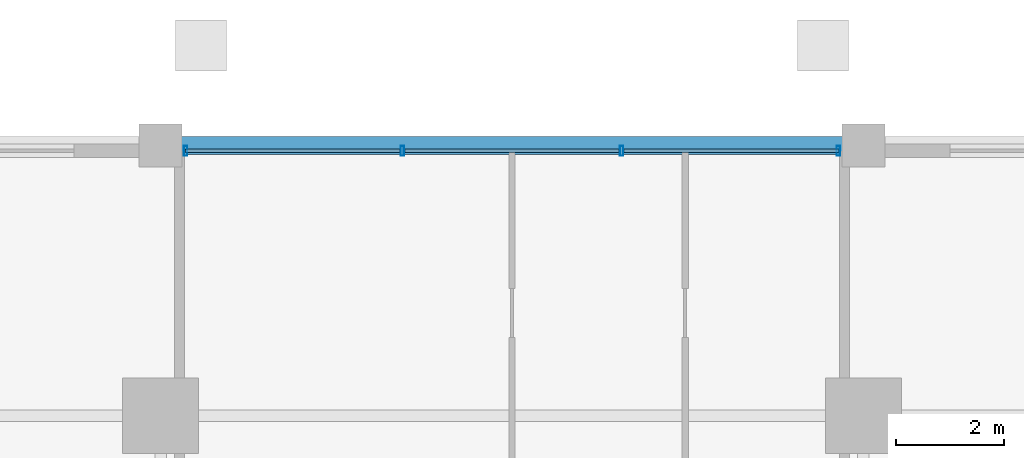
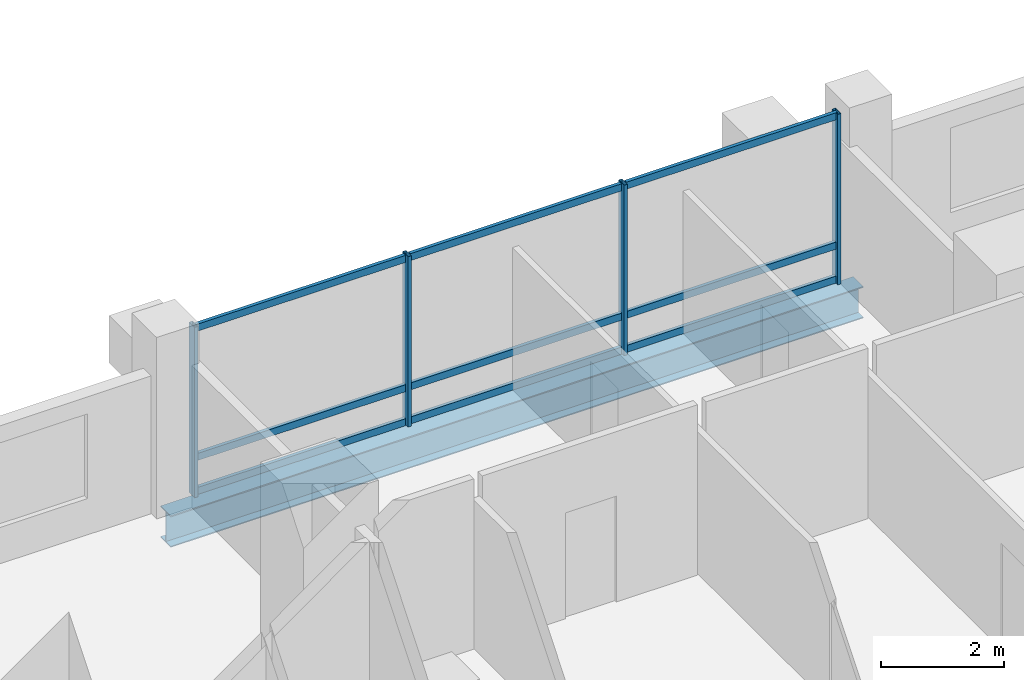
# One storey, part 13 of 24: 13 members, 1 beam, 1 element without a shape of its own.
"""IFC4 building model written with IfcOpenShell, lengths in metres."""

from ifc_helpers import new_model, si_unit, direction, frame, origin, origin_2d, place, context, subcontext, project, spatial, hollow_rectangle, i_section, extrude, material, layer, layer_set, material_profile, profile_set, type_object, element, aggregate, save


model = new_model("IFC4")

# Units and contexts
model_context = context("Model", 3, precision=1e-05, world=origin(), true_north=direction((0.0, 1.0)))
body_context = subcontext(model_context, "Body", "Model", "MODEL_VIEW")
ifc_project = project(units=[si_unit("LENGTHUNIT", "METRE"), si_unit("AREAUNIT", "SQUARE_METRE"), si_unit("VOLUMEUNIT", "CUBIC_METRE"), si_unit("PLANEANGLEUNIT", "RADIAN"), si_unit("MASSUNIT", "GRAM", prefix="KILO")], contexts=[model_context])

# Site, building, storey
site_placement = place(None, origin())
site = spatial("IfcSite", under=ifc_project, at=site_placement, CompositionType="ELEMENT")
building_placement = place(site_placement, origin())
building = spatial("IfcBuilding", under=site, at=building_placement, Name="Barlavira Tower and Art Museum", CompositionType="ELEMENT")
storey_placement = place(building_placement, frame((0.0, 0.0, 43.199951171875)))
storey = spatial("IfcBuildingStorey", under=building, at=storey_placement, Name="L09", CompositionType="ELEMENT", Elevation=43.199951171875)

# Curtain wall, members
ifc_material_1 = material(Name="Low-iron coastal laminated glass", Category="glass")
ifc_layer = layer(ifc_material_1, 0.179931640625, Name="Low-iron coastal laminated glass")
ifc_layer_set = layer_set([ifc_layer], Name="Low-iron coastal laminated glass")
curtain_wall_type = type_object("IfcCurtainWallType", Name="Pale-Metal Unitised Curtain Wall Zone 1", PredefinedType="NOTDEFINED", material=ifc_layer_set)
curtain_wall_placement = place(storey_placement, origin())
curtain_wall = element("IfcCurtainWall", 1, at=curtain_wall_placement, inside=storey, type_object=curtain_wall_type, Name="L09 Curtain Wall CW1-L09-N-B3", PredefinedType="NOTDEFINED")
ifc_material_2 = material(Name="Pale anodised aluminium", Category="aluminium")
ifc_material_profile_1 = material_profile(ifc_material_2, hollow_rectangle(XDim=0.06494140625, YDim=0.179931640625, WallThickness=0.00390625, at=origin_2d()), Name="ALU-MULL 65x180x4")
ifc_profile_set_1 = profile_set([ifc_material_profile_1], Name="Pale anodised aluminium")
member_type_1 = type_object("IfcMemberType", Name="Curtain Wall Pale-Metal Mullion 65x180", PredefinedType="MULLION", material=ifc_profile_set_1)
member_1_placement = place(storey_placement, frame((6.034912109375, 24.89990234375, 0.0), z_axis=(0.0, 0.0, 1.0), x_axis=(-1.0, 0.0, 0.0)))
member_1 = element("IfcMember", 2, at=member_1_placement, type_object=member_type_1, Name="CW1-L09-N-B3 Mullion 0", PredefinedType="MULLION", context=body_context, shape_type="SweptSolid", body=[
    extrude(hollow_rectangle(XDim=0.06494140625, YDim=0.179931640625, WallThickness=0.00390625, at=origin_2d()), origin(), (0.0, 0.0, 1.0), 3.380126953125),
])
member_2_placement = place(storey_placement, frame((2.026611328125, 24.89990234375, 0.0), z_axis=(0.0, 0.0, 1.0), x_axis=(-1.0, 0.0, 0.0)))
member_2 = element("IfcMember", 3, at=member_2_placement, type_object=member_type_1, Name="CW1-L09-N-B3 Mullion 1", PredefinedType="MULLION", context=body_context, shape_type="SweptSolid", body=[
    extrude(hollow_rectangle(XDim=0.06494140625, YDim=0.179931640625, WallThickness=0.00390625, at=origin_2d()), origin(), (0.0, 0.0, 1.0), 3.380126953125),
])
member_3_placement = place(storey_placement, frame((-2.026611328125, 24.89990234375, 0.0), z_axis=(0.0, 0.0, 1.0), x_axis=(-1.0, 0.0, 0.0)))
member_3 = element("IfcMember", 4, at=member_3_placement, type_object=member_type_1, Name="CW1-L09-N-B3 Mullion 2", PredefinedType="MULLION", context=body_context, shape_type="SweptSolid", body=[
    extrude(hollow_rectangle(XDim=0.06494140625, YDim=0.179931640625, WallThickness=0.00390625, at=origin_2d()), origin(), (0.0, 0.0, 1.0), 3.380126953125),
])
member_4_placement = place(storey_placement, frame((-6.034912109375, 24.89990234375, 0.0), z_axis=(0.0, 0.0, 1.0), x_axis=(-1.0, 0.0, 0.0)))
member_4 = element("IfcMember", 5, at=member_4_placement, type_object=member_type_1, Name="CW1-L09-N-B3 Mullion 3", PredefinedType="MULLION", context=body_context, shape_type="SweptSolid", body=[
    extrude(hollow_rectangle(XDim=0.06494140625, YDim=0.179931640625, WallThickness=0.00390625, at=origin_2d()), origin(), (0.0, 0.0, 1.0), 3.380126953125),
])
ifc_material_profile_2 = material_profile(ifc_material_2, hollow_rectangle(XDim=0.06494140625, YDim=0.139892578125, WallThickness=0.00390625, at=origin_2d()), Name="ALU-TRAN 65x140x4")
ifc_profile_set_2 = profile_set([ifc_material_profile_2], Name="Pale anodised aluminium")
member_type_2 = type_object("IfcMemberType", Name="Curtain Wall Pale-Metal Transom 65x140", PredefinedType="USERDEFINED", material=ifc_profile_set_2)
member_5_placement = place(storey_placement, frame((6.034912109375, 24.89990234375, 0.070068359375), z_axis=(-1.0, 0.0, 0.0), x_axis=(0.0, -1.0, 0.0)))
member_5 = element("IfcMember", 6, at=member_5_placement, type_object=member_type_2, Name="CW1-L09-N-B3 Transom 0.1", ObjectType="TRANSOM", PredefinedType="USERDEFINED", context=body_context, shape_type="SweptSolid", body=[
    extrude(hollow_rectangle(XDim=0.06494140625, YDim=0.139892578125, WallThickness=0.00390625, at=origin_2d()), origin(), (0.0, 0.0, 1.0), 3.963134765625),
])
member_6_placement = place(storey_placement, frame((6.034912109375, 24.89990234375, 0.744140625), z_axis=(-1.0, 0.0, 0.0), x_axis=(0.0, -1.0, 0.0)))
member_6 = element("IfcMember", 7, at=member_6_placement, type_object=member_type_2, Name="CW1-L09-N-B3 Transom 0.2", ObjectType="TRANSOM", PredefinedType="USERDEFINED", context=body_context, shape_type="SweptSolid", body=[
    extrude(hollow_rectangle(XDim=0.06494140625, YDim=0.139892578125, WallThickness=0.00390625, at=origin_2d()), origin(), (0.0, 0.0, 1.0), 3.963134765625),
])
member_7_placement = place(storey_placement, frame((6.034912109375, 24.89990234375, 3.31005859375), z_axis=(-1.0, 0.0, 0.0), x_axis=(0.0, -1.0, 0.0)))
member_7 = element("IfcMember", 8, at=member_7_placement, type_object=member_type_2, Name="CW1-L09-N-B3 Transom 0.3", ObjectType="TRANSOM", PredefinedType="USERDEFINED", context=body_context, shape_type="SweptSolid", body=[
    extrude(hollow_rectangle(XDim=0.06494140625, YDim=0.139892578125, WallThickness=0.00390625, at=origin_2d()), origin(), (0.0, 0.0, 1.0), 3.963134765625),
])
member_8_placement = place(storey_placement, frame((1.981689453125, 24.89990234375, 0.070068359375), z_axis=(-1.0, 0.0, 0.0), x_axis=(0.0, -1.0, 0.0)))
member_8 = element("IfcMember", 9, at=member_8_placement, type_object=member_type_2, Name="CW1-L09-N-B3 Transom 1.1", ObjectType="TRANSOM", PredefinedType="USERDEFINED", context=body_context, shape_type="SweptSolid", body=[
    extrude(hollow_rectangle(XDim=0.06494140625, YDim=0.139892578125, WallThickness=0.00390625, at=origin_2d()), origin(), (0.0, 0.0, 1.0), 3.96337890625),
])
member_9_placement = place(storey_placement, frame((1.981689453125, 24.89990234375, 0.744140625), z_axis=(-1.0, 0.0, 0.0), x_axis=(0.0, -1.0, 0.0)))
member_9 = element("IfcMember", 10, at=member_9_placement, type_object=member_type_2, Name="CW1-L09-N-B3 Transom 1.2", ObjectType="TRANSOM", PredefinedType="USERDEFINED", context=body_context, shape_type="SweptSolid", body=[
    extrude(hollow_rectangle(XDim=0.06494140625, YDim=0.139892578125, WallThickness=0.00390625, at=origin_2d()), origin(), (0.0, 0.0, 1.0), 3.96337890625),
])
member_10_placement = place(storey_placement, frame((1.981689453125, 24.89990234375, 3.31005859375), z_axis=(-1.0, 0.0, 0.0), x_axis=(0.0, -1.0, 0.0)))
member_10 = element("IfcMember", 11, at=member_10_placement, type_object=member_type_2, Name="CW1-L09-N-B3 Transom 1.3", ObjectType="TRANSOM", PredefinedType="USERDEFINED", context=body_context, shape_type="SweptSolid", body=[
    extrude(hollow_rectangle(XDim=0.06494140625, YDim=0.139892578125, WallThickness=0.00390625, at=origin_2d()), origin(), (0.0, 0.0, 1.0), 3.96337890625),
])
member_11_placement = place(storey_placement, frame((-2.07177734375, 24.89990234375, 0.070068359375), z_axis=(-1.0, 0.0, 0.0), x_axis=(0.0, -1.0, 0.0)))
member_11 = element("IfcMember", 12, at=member_11_placement, type_object=member_type_2, Name="CW1-L09-N-B3 Transom 2.1", ObjectType="TRANSOM", PredefinedType="USERDEFINED", context=body_context, shape_type="SweptSolid", body=[
    extrude(hollow_rectangle(XDim=0.06494140625, YDim=0.139892578125, WallThickness=0.00390625, at=origin_2d()), origin(), (0.0, 0.0, 1.0), 3.963134765625),
])
member_12_placement = place(storey_placement, frame((-2.07177734375, 24.89990234375, 0.744140625), z_axis=(-1.0, 0.0, 0.0), x_axis=(0.0, -1.0, 0.0)))
member_12 = element("IfcMember", 13, at=member_12_placement, type_object=member_type_2, Name="CW1-L09-N-B3 Transom 2.2", ObjectType="TRANSOM", PredefinedType="USERDEFINED", context=body_context, shape_type="SweptSolid", body=[
    extrude(hollow_rectangle(XDim=0.06494140625, YDim=0.139892578125, WallThickness=0.00390625, at=origin_2d()), origin(), (0.0, 0.0, 1.0), 3.963134765625),
])
member_13_placement = place(storey_placement, frame((-2.07177734375, 24.89990234375, 3.31005859375), z_axis=(-1.0, 0.0, 0.0), x_axis=(0.0, -1.0, 0.0)))
member_13 = element("IfcMember", 14, at=member_13_placement, type_object=member_type_2, Name="CW1-L09-N-B3 Transom 2.3", ObjectType="TRANSOM", PredefinedType="USERDEFINED", context=body_context, shape_type="SweptSolid", body=[
    extrude(hollow_rectangle(XDim=0.06494140625, YDim=0.139892578125, WallThickness=0.00390625, at=origin_2d()), origin(), (0.0, 0.0, 1.0), 3.963134765625),
])
aggregate(curtain_wall, [member_1, member_2, member_3, member_4, member_5, member_6, member_7, member_8, member_9, member_10, member_11, member_12, member_13])

# Beam
ifc_material_3 = material(Name="Steel S355", Category="steel")
ifc_material_profile_3 = material_profile(ifc_material_3, i_section(OverallWidth=0.327880859375, OverallDepth=0.62890625, WebThickness=0.013916015625, FlangeThickness=0.021484375, at=origin_2d()), Name="W610x174.0")
ifc_profile_set_3 = profile_set([ifc_material_profile_3], Name="Steel S355")
beam_type = type_object("IfcBeamType", Name="Perimeter Spandrel Edge Beam W610x174 Steel S355", PredefinedType="SPANDREL", material=ifc_profile_set_3)
beam_placement = place(storey_placement, frame((-6.5, 25.0, -0.534423828125), z_axis=(1.0, 0.0, 0.0), x_axis=(0.0, 1.0, 0.0)))
element("IfcBeam", 15, at=beam_placement, inside=storey, type_object=beam_type, Name="L09 Spandrel 10", PredefinedType="SPANDREL", context=body_context, shape_type="SweptSolid", body=[
    extrude(i_section(OverallWidth=0.327880859375, OverallDepth=0.62890625, WebThickness=0.013916015625, FlangeThickness=0.021484375, at=origin_2d()), origin(), (0.0, 0.0, 1.0), 13.0),
])

save(model, "model.ifc")
